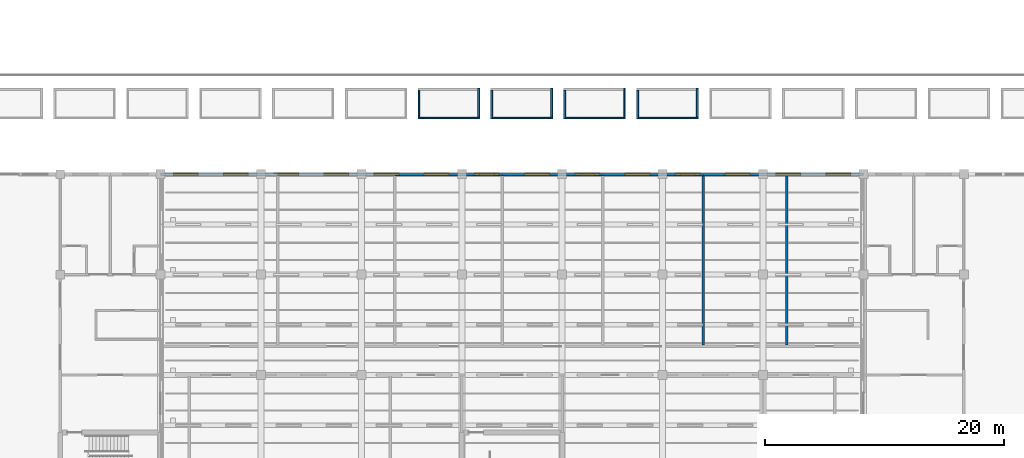
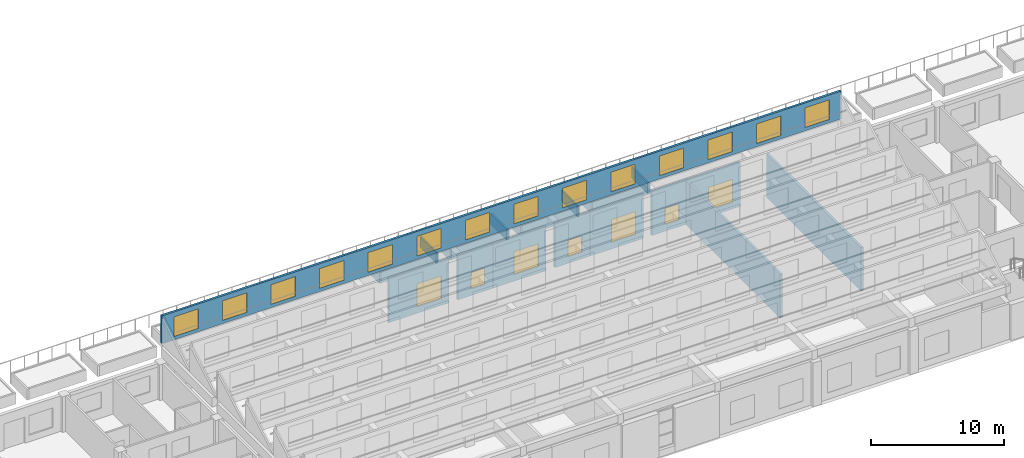
# One storey, part 37 of 61: 22 walls, 21 windows, 21 openings.
"""IFC4 building model written with IfcOpenShell, lengths in metres."""

from ifc_helpers import new_model, si_unit, direction, frame, frame_2d, origin, place, context, subcontext, project, spatial, rectangle, extrude, material, layer, layer_set, type_object, element, fill, save


model = new_model("IFC4")

# Units and contexts
model_context = context("Model", 3, precision=1e-05, world=origin(), true_north=direction((0.0, 1.0)))
body_context = subcontext(model_context, "Body", "Model", "MODEL_VIEW")
ifc_project = project(units=[si_unit("LENGTHUNIT", "METRE"), si_unit("AREAUNIT", "SQUARE_METRE"), si_unit("VOLUMEUNIT", "CUBIC_METRE"), si_unit("PLANEANGLEUNIT", "RADIAN"), si_unit("MASSUNIT", "GRAM", prefix="KILO")], contexts=[model_context])

# Site, building, storey
site_placement = place(None, origin())
site = spatial("IfcSite", under=ifc_project, at=site_placement, CompositionType="ELEMENT")
building_placement = place(site_placement, origin())
building = spatial("IfcBuilding", under=site, at=building_placement, Name="Yavir Park General Hospital", CompositionType="ELEMENT")
storey_placement = place(building_placement, frame((0.0, 0.0, 15.300048828125)))
storey = spatial("IfcBuildingStorey", under=building, at=storey_placement, Name="L03", CompositionType="ELEMENT", Elevation=15.300048828125)

# Walls
ifc_material_1 = material(Name="Double gypsum board fire partition on steel studs", Category="steel")
ifc_layer_1 = layer(ifc_material_1, 0.199951171875)
ifc_layer_set_1 = layer_set([ifc_layer_1], Name="Double gypsum board fire partition on steel studs")
wall_type_1 = type_object("IfcWallType", Name="Fire-rated partition 200, EI 60", PredefinedType="PARTITIONING", material=ifc_layer_set_1)
for number, where, z_axis, x_axis, name in (
    (1, (87.39990234375, 10.89990234375, 0.0), (0.0, 0.0, 1.0), (0.0, 1.0, 0.0), "FP20 L03-239"),
    (2, (94.39990234375, 10.89990234375, 0.0), (0.0, 0.0, 1.0), (0.0, 1.0, 0.0), "FP20 L03-241"),
):
    element("IfcWall", number, at=place(storey_placement, frame(where, z_axis=z_axis, x_axis=x_axis)), inside=storey, type_object=wall_type_1, Name=name, PredefinedType="PARTITIONING", context=body_context, shape_type="SweptSolid", body=[
        extrude(rectangle(XDim=14.150146484375, YDim=0.199951171875, at=frame_2d((7.0751953125, 0.0))), origin(), (0.0, 0.0, 1.0), 4.0),
    ])

# Wall, opening, window
ifc_material_2 = material(Name="Insulated sheet steel panels on a Steel S355 subframe", Category="steel")
ifc_layer_2 = layer(ifc_material_2, 0.22509765625)
ifc_layer_set_2 = layer_set([ifc_layer_2], Name="Insulated sheet steel panels on a Steel S355 subframe")
wall_type_2 = type_object("IfcWallType", Name="Louvred plant wall 225, E 30", PredefinedType="SOLIDWALL", material=ifc_layer_set_2)
wall_1_placement = place(storey_placement, frame((61.60009765625, 25.16259765625, 0.0), z_axis=(0.0, 0.0, 1.0), x_axis=(1.0, 0.0, 0.0)))
wall_1 = element("IfcWall", 3, at=wall_1_placement, inside=storey, type_object=wall_type_2, Name="XW4 L03-052", PredefinedType="SOLIDWALL", context=body_context, shape_type="SweptSolid", body=[
    extrude(rectangle(XDim=5.224853515625, YDim=0.22509765625, at=frame_2d((2.6123046875, 0.0))), origin(), (0.0, 0.0, 1.0), 4.0),
])
opening_1_placement = place(wall_1_placement, frame((2.449951171875, 0.0, 0.60009765625)))
opening_1 = element("IfcOpeningElement", 4, at=opening_1_placement, cuts=wall_1, Name="Opening LV2", PredefinedType="OPENING", context=body_context, shape_type="SweptSolid", body=[
    extrude(rectangle(XDim=2.10009765625, YDim=2.10009765625, at=frame_2d((1.050048828125, 1.050048828125))), frame((0.0, 0.12255859375, 0.0), z_axis=(0.0, -1.0, 0.0), x_axis=(1.0, 0.0, 0.0)), (0.0, 0.0, 1.0), 0.2451171875),
])
ifc_material_3 = material(Name="Anodised aluminium louvre blades in a deep frame", Category="aluminium")
window_type_1 = type_object("IfcWindowType", Name="Tall plant louvre 2100 x 2100", PartitioningType="SINGLE_PANEL", PredefinedType="WINDOW", material=ifc_material_3)
window_1_placement = place(opening_1_placement, origin())
window_1 = element("IfcWindow", 5, at=window_1_placement, inside=storey, type_object=window_type_1, Name="LV2 L03-027", OverallHeight=2.10009765625, OverallWidth=2.10009765625, PartitioningType="SINGLE_PANEL", PredefinedType="WINDOW", context=body_context, shape_type="SweptSolid", body=[
    extrude(rectangle(XDim=2.10009765625, YDim=2.10009765625, at=frame_2d((1.050048828125, 1.050048828125))), frame((0.0, 0.074951171875, 0.0), z_axis=(0.0, -1.0, 0.0), x_axis=(1.0, 0.0, 0.0)), (0.0, 0.0, 1.0), 0.14990234375),
])
fill(opening_1, window_1)

wall_2_placement = place(storey_placement, frame((67.574951171875, 25.16259765625, 0.0), z_axis=(0.0, 0.0, 1.0), x_axis=(1.0, 0.0, 0.0)))
wall_2 = element("IfcWall", 6, at=wall_2_placement, inside=storey, type_object=wall_type_2, Name="XW4 L03-053", PredefinedType="SOLIDWALL", context=body_context, shape_type="SweptSolid", body=[
    extrude(rectangle(XDim=3.025146484375, YDim=0.22509765625, at=frame_2d((1.5126953125, 0.0))), origin(), (0.0, 0.0, 1.0), 4.0),
])
opening_2_placement = place(wall_2_placement, frame((1.125, 0.0, 0.60009765625)))
opening_2 = element("IfcOpeningElement", 7, at=opening_2_placement, cuts=wall_2, Name="Opening LV4", PredefinedType="OPENING", context=body_context, shape_type="SweptSolid", body=[
    extrude(rectangle(XDim=1.199951171875, YDim=1.5, at=frame_2d((0.60009765625, 0.75))), frame((0.0, 0.12255859375, 0.0), z_axis=(0.0, -1.0, 0.0), x_axis=(1.0, 0.0, 0.0)), (0.0, 0.0, 1.0), 0.2451171875),
])
ifc_material_4 = material(Name="Anodised aluminium louvre blades in a deep frame", Category="aluminium")
window_type_2 = type_object("IfcWindowType", Name="Small plant louvre 1200 x 1500", PartitioningType="SINGLE_PANEL", PredefinedType="WINDOW", material=ifc_material_4)
window_2_placement = place(opening_2_placement, origin())
window_2 = element("IfcWindow", 8, at=window_2_placement, inside=storey, type_object=window_type_2, Name="LV4 L03-028", OverallHeight=1.5, OverallWidth=1.199951171875, PartitioningType="SINGLE_PANEL", PredefinedType="WINDOW", context=body_context, shape_type="SweptSolid", body=[
    extrude(rectangle(XDim=1.199951171875, YDim=1.5, at=frame_2d((0.60009765625, 0.75))), frame((0.0, 0.074951171875, 0.0), z_axis=(0.0, -1.0, 0.0), x_axis=(1.0, 0.0, 0.0)), (0.0, 0.0, 1.0), 0.14990234375),
])
fill(opening_2, window_2)

wall_3_placement = place(storey_placement, frame((70.60009765625, 25.16259765625, 0.0), z_axis=(0.0, 0.0, 1.0), x_axis=(1.0, 0.0, 0.0)))
wall_3 = element("IfcWall", 9, at=wall_3_placement, inside=storey, type_object=wall_type_2, Name="XW4 L03-054", PredefinedType="SOLIDWALL", context=body_context, shape_type="SweptSolid", body=[
    extrude(rectangle(XDim=4.625, YDim=0.22509765625, at=frame_2d((2.3125, 0.0))), origin(), (0.0, 0.0, 1.0), 4.0),
])
opening_3_placement = place(wall_3_placement, frame((1.85009765625, 0.0, 0.60009765625)))
opening_3 = element("IfcOpeningElement", 10, at=opening_3_placement, cuts=wall_3, Name="Opening LV2", PredefinedType="OPENING", context=body_context, shape_type="SweptSolid", body=[
    extrude(rectangle(XDim=2.10009765625, YDim=2.10009765625, at=frame_2d((1.050048828125, 1.050048828125))), frame((0.0, 0.12255859375, 0.0), z_axis=(0.0, -1.0, 0.0), x_axis=(1.0, 0.0, 0.0)), (0.0, 0.0, 1.0), 0.2451171875),
])
window_3_placement = place(opening_3_placement, origin())
window_3 = element("IfcWindow", 11, at=window_3_placement, inside=storey, type_object=window_type_1, Name="LV2 L03-029", OverallHeight=2.10009765625, OverallWidth=2.10009765625, PartitioningType="SINGLE_PANEL", PredefinedType="WINDOW", context=body_context, shape_type="SweptSolid", body=[
    extrude(rectangle(XDim=2.10009765625, YDim=2.10009765625, at=frame_2d((1.050048828125, 1.050048828125))), frame((0.0, 0.074951171875, 0.0), z_axis=(0.0, -1.0, 0.0), x_axis=(1.0, 0.0, 0.0)), (0.0, 0.0, 1.0), 0.14990234375),
])
fill(opening_3, window_3)

wall_4_placement = place(storey_placement, frame((75.97509765625, 25.16259765625, 0.0), z_axis=(0.0, 0.0, 1.0), x_axis=(1.0, 0.0, 0.0)))
wall_4 = element("IfcWall", 12, at=wall_4_placement, inside=storey, type_object=wall_type_2, Name="XW4 L03-055", PredefinedType="SOLIDWALL", context=body_context, shape_type="SweptSolid", body=[
    extrude(rectangle(XDim=3.02490234375, YDim=0.22509765625, at=frame_2d((1.512451171875, 0.0))), origin(), (0.0, 0.0, 1.0), 4.0),
])
opening_4_placement = place(wall_4_placement, frame((1.125, 0.0, 0.60009765625)))
opening_4 = element("IfcOpeningElement", 13, at=opening_4_placement, cuts=wall_4, Name="Opening LV4", PredefinedType="OPENING", context=body_context, shape_type="SweptSolid", body=[
    extrude(rectangle(XDim=1.199951171875, YDim=1.5, at=frame_2d((0.60009765625, 0.75))), frame((0.0, 0.12255859375, 0.0), z_axis=(0.0, -1.0, 0.0), x_axis=(1.0, 0.0, 0.0)), (0.0, 0.0, 1.0), 0.2451171875),
])
window_4_placement = place(opening_4_placement, origin())
window_4 = element("IfcWindow", 14, at=window_4_placement, inside=storey, type_object=window_type_2, Name="LV4 L03-030", OverallHeight=1.5, OverallWidth=1.199951171875, PartitioningType="SINGLE_PANEL", PredefinedType="WINDOW", context=body_context, shape_type="SweptSolid", body=[
    extrude(rectangle(XDim=1.199951171875, YDim=1.5, at=frame_2d((0.60009765625, 0.75))), frame((0.0, 0.074951171875, 0.0), z_axis=(0.0, -1.0, 0.0), x_axis=(1.0, 0.0, 0.0)), (0.0, 0.0, 1.0), 0.14990234375),
])
fill(opening_4, window_4)

wall_5_placement = place(storey_placement, frame((79.0, 25.16259765625, 0.0), z_axis=(0.0, 0.0, 1.0), x_axis=(1.0, 0.0, 0.0)))
wall_5 = element("IfcWall", 15, at=wall_5_placement, inside=storey, type_object=wall_type_2, Name="XW4 L03-056", PredefinedType="SOLIDWALL", context=body_context, shape_type="SweptSolid", body=[
    extrude(rectangle(XDim=4.625, YDim=0.22509765625, at=frame_2d((2.3125, 0.0))), origin(), (0.0, 0.0, 1.0), 4.0),
])
opening_5_placement = place(wall_5_placement, frame((1.85009765625, 0.0, 0.60009765625)))
opening_5 = element("IfcOpeningElement", 16, at=opening_5_placement, cuts=wall_5, Name="Opening LV2", PredefinedType="OPENING", context=body_context, shape_type="SweptSolid", body=[
    extrude(rectangle(XDim=2.10009765625, YDim=2.10009765625, at=frame_2d((1.050048828125, 1.050048828125))), frame((0.0, 0.12255859375, 0.0), z_axis=(0.0, -1.0, 0.0), x_axis=(1.0, 0.0, 0.0)), (0.0, 0.0, 1.0), 0.2451171875),
])
window_5_placement = place(opening_5_placement, origin())
window_5 = element("IfcWindow", 17, at=window_5_placement, inside=storey, type_object=window_type_1, Name="LV2 L03-031", OverallHeight=2.10009765625, OverallWidth=2.10009765625, PartitioningType="SINGLE_PANEL", PredefinedType="WINDOW", context=body_context, shape_type="SweptSolid", body=[
    extrude(rectangle(XDim=2.10009765625, YDim=2.10009765625, at=frame_2d((1.050048828125, 1.050048828125))), frame((0.0, 0.074951171875, 0.0), z_axis=(0.0, -1.0, 0.0), x_axis=(1.0, 0.0, 0.0)), (0.0, 0.0, 1.0), 0.14990234375),
])
fill(opening_5, window_5)

wall_6_placement = place(storey_placement, frame((84.375, 25.16259765625, 0.0), z_axis=(0.0, 0.0, 1.0), x_axis=(1.0, 0.0, 0.0)))
wall_6 = element("IfcWall", 18, at=wall_6_placement, inside=storey, type_object=wall_type_2, Name="XW4 L03-057", PredefinedType="SOLIDWALL", context=body_context, shape_type="SweptSolid", body=[
    extrude(rectangle(XDim=3.02490234375, YDim=0.22509765625, at=frame_2d((1.512451171875, 0.0))), origin(), (0.0, 0.0, 1.0), 4.0),
])
opening_6_placement = place(wall_6_placement, frame((1.125, 0.0, 0.60009765625)))
opening_6 = element("IfcOpeningElement", 19, at=opening_6_placement, cuts=wall_6, Name="Opening LV4", PredefinedType="OPENING", context=body_context, shape_type="SweptSolid", body=[
    extrude(rectangle(XDim=1.199951171875, YDim=1.5, at=frame_2d((0.60009765625, 0.75))), frame((0.0, 0.12255859375, 0.0), z_axis=(0.0, -1.0, 0.0), x_axis=(1.0, 0.0, 0.0)), (0.0, 0.0, 1.0), 0.2451171875),
])
window_6_placement = place(opening_6_placement, origin())
window_6 = element("IfcWindow", 20, at=window_6_placement, inside=storey, type_object=window_type_2, Name="LV4 L03-032", OverallHeight=1.5, OverallWidth=1.199951171875, PartitioningType="SINGLE_PANEL", PredefinedType="WINDOW", context=body_context, shape_type="SweptSolid", body=[
    extrude(rectangle(XDim=1.199951171875, YDim=1.5, at=frame_2d((0.60009765625, 0.75))), frame((0.0, 0.074951171875, 0.0), z_axis=(0.0, -1.0, 0.0), x_axis=(1.0, 0.0, 0.0)), (0.0, 0.0, 1.0), 0.14990234375),
])
fill(opening_6, window_6)

wall_7_placement = place(storey_placement, frame((87.39990234375, 25.16259765625, 0.0), z_axis=(0.0, 0.0, 1.0), x_axis=(1.0, 0.0, 0.0)))
wall_7 = element("IfcWall", 21, at=wall_7_placement, inside=storey, type_object=wall_type_2, Name="XW4 L03-058", PredefinedType="SOLIDWALL", context=body_context, shape_type="SweptSolid", body=[
    extrude(rectangle(XDim=4.625, YDim=0.22509765625, at=frame_2d((2.3125, 0.0))), origin(), (0.0, 0.0, 1.0), 4.0),
])
opening_7_placement = place(wall_7_placement, frame((1.85009765625, 0.0, 0.60009765625)))
opening_7 = element("IfcOpeningElement", 22, at=opening_7_placement, cuts=wall_7, Name="Opening LV2", PredefinedType="OPENING", context=body_context, shape_type="SweptSolid", body=[
    extrude(rectangle(XDim=2.10009765625, YDim=2.10009765625, at=frame_2d((1.050048828125, 1.050048828125))), frame((0.0, 0.12255859375, 0.0), z_axis=(0.0, -1.0, 0.0), x_axis=(1.0, 0.0, 0.0)), (0.0, 0.0, 1.0), 0.2451171875),
])
window_7_placement = place(opening_7_placement, origin())
window_7 = element("IfcWindow", 23, at=window_7_placement, inside=storey, type_object=window_type_1, Name="LV2 L03-033", OverallHeight=2.10009765625, OverallWidth=2.10009765625, PartitioningType="SINGLE_PANEL", PredefinedType="WINDOW", context=body_context, shape_type="SweptSolid", body=[
    extrude(rectangle(XDim=2.10009765625, YDim=2.10009765625, at=frame_2d((1.050048828125, 1.050048828125))), frame((0.0, 0.074951171875, 0.0), z_axis=(0.0, -1.0, 0.0), x_axis=(1.0, 0.0, 0.0)), (0.0, 0.0, 1.0), 0.14990234375),
])
fill(opening_7, window_7)

# Walls
ifc_material_5 = material(Name="Concrete C30/37", Category="concrete")
ifc_layer_3 = layer(ifc_material_5, 0.14990234375)
ifc_layer_set_3 = layer_set([ifc_layer_3], Name="Concrete C30/37")
wall_type_3 = type_object("IfcWallType", Name="Planter upstand 150 x 1000", PredefinedType="STANDARD", material=ifc_layer_set_3)
wall_8_placement = place(storey_placement, frame((63.69677734375, 29.89990234375, 0.0), z_axis=(0.0, 0.0, 1.0), x_axis=(1.0, 0.0, 0.0)))
element("IfcWall", 24, at=wall_8_placement, inside=storey, type_object=wall_type_3, Name="Planter upstand 7.1", PredefinedType="STANDARD", context=body_context, shape_type="SweptSolid", body=[
    extrude(rectangle(XDim=5.0, YDim=0.14990234375, at=frame_2d((2.5, 0.0))), origin(), (0.0, 0.0, 1.0), 1.0),
])
wall_9_placement = place(storey_placement, frame((68.62158203125, 29.97509765625, 0.0), z_axis=(0.0, 0.0, 1.0), x_axis=(0.0, 1.0, 0.0)))
element("IfcWall", 25, at=wall_9_placement, inside=storey, type_object=wall_type_3, Name="Planter upstand 7.2", PredefinedType="STANDARD", context=body_context, shape_type="SweptSolid", body=[
    extrude(rectangle(XDim=2.39990234375, YDim=0.14990234375, at=frame_2d((1.199951171875, 0.0))), origin(), (0.0, 0.0, 1.0), 1.0),
])
wall_10_placement = place(storey_placement, frame((63.62158203125, 32.22509765625, 0.0), z_axis=(0.0, 0.0, 1.0), x_axis=(0.0, -1.0, 0.0)))
element("IfcWall", 26, at=wall_10_placement, inside=storey, type_object=wall_type_3, Name="Planter upstand 7.4", PredefinedType="STANDARD", context=body_context, shape_type="SweptSolid", body=[
    extrude(rectangle(XDim=2.400146484375, YDim=0.14990234375, at=frame_2d((1.2001953125, 0.0))), origin(), (0.0, 0.0, 1.0), 1.0),
])
wall_11_placement = place(storey_placement, frame((69.79248046875, 29.89990234375, 0.0), z_axis=(0.0, 0.0, 1.0), x_axis=(1.0, 0.0, 0.0)))
element("IfcWall", 27, at=wall_11_placement, inside=storey, type_object=wall_type_3, Name="Planter upstand 8.1", PredefinedType="STANDARD", context=body_context, shape_type="SweptSolid", body=[
    extrude(rectangle(XDim=5.0, YDim=0.14990234375, at=frame_2d((2.5, 0.0))), origin(), (0.0, 0.0, 1.0), 1.0),
])
wall_12_placement = place(storey_placement, frame((74.71728515625, 29.97509765625, 0.0), z_axis=(0.0, 0.0, 1.0), x_axis=(0.0, 1.0, 0.0)))
element("IfcWall", 28, at=wall_12_placement, inside=storey, type_object=wall_type_3, Name="Planter upstand 8.2", PredefinedType="STANDARD", context=body_context, shape_type="SweptSolid", body=[
    extrude(rectangle(XDim=2.39990234375, YDim=0.14990234375, at=frame_2d((1.199951171875, 0.0))), origin(), (0.0, 0.0, 1.0), 1.0),
])
wall_13_placement = place(storey_placement, frame((69.71728515625, 32.22509765625, 0.0), z_axis=(0.0, 0.0, 1.0), x_axis=(0.0, -1.0, 0.0)))
element("IfcWall", 29, at=wall_13_placement, inside=storey, type_object=wall_type_3, Name="Planter upstand 8.4", PredefinedType="STANDARD", context=body_context, shape_type="SweptSolid", body=[
    extrude(rectangle(XDim=2.400146484375, YDim=0.14990234375, at=frame_2d((1.2001953125, 0.0))), origin(), (0.0, 0.0, 1.0), 1.0),
])
wall_14_placement = place(storey_placement, frame((75.887939453125, 29.89990234375, 0.0), z_axis=(0.0, 0.0, 1.0), x_axis=(1.0, 0.0, 0.0)))
element("IfcWall", 30, at=wall_14_placement, inside=storey, type_object=wall_type_3, Name="Planter upstand 9.1", PredefinedType="STANDARD", context=body_context, shape_type="SweptSolid", body=[
    extrude(rectangle(XDim=5.0, YDim=0.14990234375, at=frame_2d((2.5, 0.0))), origin(), (0.0, 0.0, 1.0), 1.0),
])
wall_15_placement = place(storey_placement, frame((80.81298828125, 29.97509765625, 0.0), z_axis=(0.0, 0.0, 1.0), x_axis=(0.0, 1.0, 0.0)))
element("IfcWall", 31, at=wall_15_placement, inside=storey, type_object=wall_type_3, Name="Planter upstand 9.2", PredefinedType="STANDARD", context=body_context, shape_type="SweptSolid", body=[
    extrude(rectangle(XDim=2.39990234375, YDim=0.14990234375, at=frame_2d((1.199951171875, 0.0))), origin(), (0.0, 0.0, 1.0), 1.0),
])
wall_16_placement = place(storey_placement, frame((75.81298828125, 32.22509765625, 0.0), z_axis=(0.0, 0.0, 1.0), x_axis=(0.0, -1.0, 0.0)))
element("IfcWall", 32, at=wall_16_placement, inside=storey, type_object=wall_type_3, Name="Planter upstand 9.4", PredefinedType="STANDARD", context=body_context, shape_type="SweptSolid", body=[
    extrude(rectangle(XDim=2.400146484375, YDim=0.14990234375, at=frame_2d((1.2001953125, 0.0))), origin(), (0.0, 0.0, 1.0), 1.0),
])
wall_17_placement = place(storey_placement, frame((81.983642578125, 29.89990234375, 0.0), z_axis=(0.0, 0.0, 1.0), x_axis=(1.0, 0.0, 0.0)))
element("IfcWall", 33, at=wall_17_placement, inside=storey, type_object=wall_type_3, Name="Planter upstand 10.1", PredefinedType="STANDARD", context=body_context, shape_type="SweptSolid", body=[
    extrude(rectangle(XDim=5.0, YDim=0.14990234375, at=frame_2d((2.5, 0.0))), origin(), (0.0, 0.0, 1.0), 1.0),
])
wall_18_placement = place(storey_placement, frame((86.90869140625, 29.97509765625, 0.0), z_axis=(0.0, 0.0, 1.0), x_axis=(0.0, 1.0, 0.0)))
element("IfcWall", 34, at=wall_18_placement, inside=storey, type_object=wall_type_3, Name="Planter upstand 10.2", PredefinedType="STANDARD", context=body_context, shape_type="SweptSolid", body=[
    extrude(rectangle(XDim=2.39990234375, YDim=0.14990234375, at=frame_2d((1.199951171875, 0.0))), origin(), (0.0, 0.0, 1.0), 1.0),
])
wall_19_placement = place(storey_placement, frame((81.90869140625, 32.22509765625, 0.0), z_axis=(0.0, 0.0, 1.0), x_axis=(0.0, -1.0, 0.0)))
element("IfcWall", 35, at=wall_19_placement, inside=storey, type_object=wall_type_3, Name="Planter upstand 10.4", PredefinedType="STANDARD", context=body_context, shape_type="SweptSolid", body=[
    extrude(rectangle(XDim=2.400146484375, YDim=0.14990234375, at=frame_2d((1.2001953125, 0.0))), origin(), (0.0, 0.0, 1.0), 1.0),
])

# Wall, openings, windows
ifc_material_6 = material(Name="Concrete C30/37 upstand with 80 mm mineral wool insulation", Category="concrete")
ifc_layer_4 = layer(ifc_material_6, 0.199951171875)
ifc_layer_set_4 = layer_set([ifc_layer_4], Name="Concrete C30/37 upstand with 80 mm mineral wool insulation")
wall_type_4 = type_object("IfcWallType", Name="Reinforced concrete louvre upstand wall 200, E 30", PredefinedType="SOLIDWALL", material=ifc_layer_set_4)
wall_20_placement = place(storey_placement, frame((42.0, 25.199951171875, 4.904052734375), z_axis=(0.0, 0.0, 1.0), x_axis=(1.0, 0.0, 0.0)))
wall_20 = element("IfcWall", 36, at=wall_20_placement, inside=storey, type_object=wall_type_4, Name="XW11 L03-S06", PredefinedType="SOLIDWALL", context=body_context, shape_type="SweptSolid", body=[
    extrude(rectangle(XDim=58.800048828125, YDim=0.199951171875, at=frame_2d((29.39990234375, 0.0))), origin(), (0.0, 0.0, 1.0), 2.538818359375),
])
opening_8_placement = place(wall_20_placement, frame((1.050048828125, 0.0, 0.300048828125)))
opening_8 = element("IfcOpeningElement", 37, at=opening_8_placement, cuts=wall_20, Name="Opening LV5", PredefinedType="OPENING", context=body_context, shape_type="SweptSolid", body=[
    extrude(rectangle(XDim=2.10009765625, YDim=1.800048828125, at=frame_2d((1.050048828125, 0.89990234375))), frame((0.0, 0.10986328125, 0.0), z_axis=(0.0, -1.0, 0.0), x_axis=(1.0, 0.0, 0.0)), (0.0, 0.0, 1.0), 0.219970703125),
])
opening_9_placement = place(wall_20_placement, frame((5.25, 0.0, 0.300048828125)))
opening_9 = element("IfcOpeningElement", 38, at=opening_9_placement, cuts=wall_20, Name="Opening LV5", PredefinedType="OPENING", context=body_context, shape_type="SweptSolid", body=[
    extrude(rectangle(XDim=2.10009765625, YDim=1.800048828125, at=frame_2d((1.050048828125, 0.89990234375))), frame((0.0, 0.10986328125, 0.0), z_axis=(0.0, -1.0, 0.0), x_axis=(1.0, 0.0, 0.0)), (0.0, 0.0, 1.0), 0.219970703125),
])
opening_10_placement = place(wall_20_placement, frame((9.449951171875, 0.0, 0.300048828125)))
opening_10 = element("IfcOpeningElement", 39, at=opening_10_placement, cuts=wall_20, Name="Opening LV5", PredefinedType="OPENING", context=body_context, shape_type="SweptSolid", body=[
    extrude(rectangle(XDim=2.10009765625, YDim=1.800048828125, at=frame_2d((1.050048828125, 0.89990234375))), frame((0.0, 0.10986328125, 0.0), z_axis=(0.0, -1.0, 0.0), x_axis=(1.0, 0.0, 0.0)), (0.0, 0.0, 1.0), 0.219970703125),
])
opening_11_placement = place(wall_20_placement, frame((13.64990234375, 0.0, 0.300048828125)))
opening_11 = element("IfcOpeningElement", 40, at=opening_11_placement, cuts=wall_20, Name="Opening LV5", PredefinedType="OPENING", context=body_context, shape_type="SweptSolid", body=[
    extrude(rectangle(XDim=2.10009765625, YDim=1.800048828125, at=frame_2d((1.050048828125, 0.89990234375))), frame((0.0, 0.10986328125, 0.0), z_axis=(0.0, -1.0, 0.0), x_axis=(1.0, 0.0, 0.0)), (0.0, 0.0, 1.0), 0.219970703125),
])
opening_12_placement = place(wall_20_placement, frame((17.85009765625, 0.0, 0.300048828125)))
opening_12 = element("IfcOpeningElement", 41, at=opening_12_placement, cuts=wall_20, Name="Opening LV5", PredefinedType="OPENING", context=body_context, shape_type="SweptSolid", body=[
    extrude(rectangle(XDim=2.10009765625, YDim=1.800048828125, at=frame_2d((1.050048828125, 0.89990234375))), frame((0.0, 0.10986328125, 0.0), z_axis=(0.0, -1.0, 0.0), x_axis=(1.0, 0.0, 0.0)), (0.0, 0.0, 1.0), 0.219970703125),
])
opening_13_placement = place(wall_20_placement, frame((22.050048828125, 0.0, 0.300048828125)))
opening_13 = element("IfcOpeningElement", 42, at=opening_13_placement, cuts=wall_20, Name="Opening LV5", PredefinedType="OPENING", context=body_context, shape_type="SweptSolid", body=[
    extrude(rectangle(XDim=2.10009765625, YDim=1.800048828125, at=frame_2d((1.050048828125, 0.89990234375))), frame((0.0, 0.10986328125, 0.0), z_axis=(0.0, -1.0, 0.0), x_axis=(1.0, 0.0, 0.0)), (0.0, 0.0, 1.0), 0.219970703125),
])
opening_14_placement = place(wall_20_placement, frame((26.25, 0.0, 0.300048828125)))
opening_14 = element("IfcOpeningElement", 43, at=opening_14_placement, cuts=wall_20, Name="Opening LV5", PredefinedType="OPENING", context=body_context, shape_type="SweptSolid", body=[
    extrude(rectangle(XDim=2.10009765625, YDim=1.800048828125, at=frame_2d((1.050048828125, 0.89990234375))), frame((0.0, 0.10986328125, 0.0), z_axis=(0.0, -1.0, 0.0), x_axis=(1.0, 0.0, 0.0)), (0.0, 0.0, 1.0), 0.219970703125),
])
opening_15_placement = place(wall_20_placement, frame((30.449951171875, 0.0, 0.300048828125)))
opening_15 = element("IfcOpeningElement", 44, at=opening_15_placement, cuts=wall_20, Name="Opening LV5", PredefinedType="OPENING", context=body_context, shape_type="SweptSolid", body=[
    extrude(rectangle(XDim=2.10009765625, YDim=1.800048828125, at=frame_2d((1.050048828125, 0.89990234375))), frame((0.0, 0.10986328125, 0.0), z_axis=(0.0, -1.0, 0.0), x_axis=(1.0, 0.0, 0.0)), (0.0, 0.0, 1.0), 0.219970703125),
])
opening_16_placement = place(wall_20_placement, frame((34.64990234375, 0.0, 0.300048828125)))
opening_16 = element("IfcOpeningElement", 45, at=opening_16_placement, cuts=wall_20, Name="Opening LV5", PredefinedType="OPENING", context=body_context, shape_type="SweptSolid", body=[
    extrude(rectangle(XDim=2.10009765625, YDim=1.800048828125, at=frame_2d((1.050048828125, 0.89990234375))), frame((0.0, 0.10986328125, 0.0), z_axis=(0.0, -1.0, 0.0), x_axis=(1.0, 0.0, 0.0)), (0.0, 0.0, 1.0), 0.219970703125),
])
opening_17_placement = place(wall_20_placement, frame((38.85009765625, 0.0, 0.300048828125)))
opening_17 = element("IfcOpeningElement", 46, at=opening_17_placement, cuts=wall_20, Name="Opening LV5", PredefinedType="OPENING", context=body_context, shape_type="SweptSolid", body=[
    extrude(rectangle(XDim=2.10009765625, YDim=1.800048828125, at=frame_2d((1.050048828125, 0.89990234375))), frame((0.0, 0.10986328125, 0.0), z_axis=(0.0, -1.0, 0.0), x_axis=(1.0, 0.0, 0.0)), (0.0, 0.0, 1.0), 0.219970703125),
])
opening_18_placement = place(wall_20_placement, frame((43.050048828125, 0.0, 0.300048828125)))
opening_18 = element("IfcOpeningElement", 47, at=opening_18_placement, cuts=wall_20, Name="Opening LV5", PredefinedType="OPENING", context=body_context, shape_type="SweptSolid", body=[
    extrude(rectangle(XDim=2.10009765625, YDim=1.800048828125, at=frame_2d((1.050048828125, 0.89990234375))), frame((0.0, 0.10986328125, 0.0), z_axis=(0.0, -1.0, 0.0), x_axis=(1.0, 0.0, 0.0)), (0.0, 0.0, 1.0), 0.219970703125),
])
opening_19_placement = place(wall_20_placement, frame((47.25, 0.0, 0.300048828125)))
opening_19 = element("IfcOpeningElement", 48, at=opening_19_placement, cuts=wall_20, Name="Opening LV5", PredefinedType="OPENING", context=body_context, shape_type="SweptSolid", body=[
    extrude(rectangle(XDim=2.10009765625, YDim=1.800048828125, at=frame_2d((1.050048828125, 0.89990234375))), frame((0.0, 0.10986328125, 0.0), z_axis=(0.0, -1.0, 0.0), x_axis=(1.0, 0.0, 0.0)), (0.0, 0.0, 1.0), 0.219970703125),
])
opening_20_placement = place(wall_20_placement, frame((51.449951171875, 0.0, 0.300048828125)))
opening_20 = element("IfcOpeningElement", 49, at=opening_20_placement, cuts=wall_20, Name="Opening LV5", PredefinedType="OPENING", context=body_context, shape_type="SweptSolid", body=[
    extrude(rectangle(XDim=2.10009765625, YDim=1.800048828125, at=frame_2d((1.050048828125, 0.89990234375))), frame((0.0, 0.10986328125, 0.0), z_axis=(0.0, -1.0, 0.0), x_axis=(1.0, 0.0, 0.0)), (0.0, 0.0, 1.0), 0.219970703125),
])
opening_21_placement = place(wall_20_placement, frame((55.64990234375, 0.0, 0.300048828125)))
opening_21 = element("IfcOpeningElement", 50, at=opening_21_placement, cuts=wall_20, Name="Opening LV5", PredefinedType="OPENING", context=body_context, shape_type="SweptSolid", body=[
    extrude(rectangle(XDim=2.10009765625, YDim=1.800048828125, at=frame_2d((1.050048828125, 0.89990234375))), frame((0.0, 0.10986328125, 0.0), z_axis=(0.0, -1.0, 0.0), x_axis=(1.0, 0.0, 0.0)), (0.0, 0.0, 1.0), 0.219970703125),
])
ifc_material_7 = material(Name="Anodised aluminium louvre blades in a deep frame", Category="aluminium")
window_type_3 = type_object("IfcWindowType", Name="Sawtooth louvre 2100 x 1800", PartitioningType="SINGLE_PANEL", PredefinedType="WINDOW", material=ifc_material_7)
window_8_placement = place(opening_8_placement, origin())
window_8 = element("IfcWindow", 51, at=window_8_placement, inside=storey, type_object=window_type_3, Name="LV5 L03-S06-01", OverallHeight=1.800048828125, OverallWidth=2.10009765625, PartitioningType="SINGLE_PANEL", PredefinedType="WINDOW", context=body_context, shape_type="SweptSolid", body=[
    extrude(rectangle(XDim=2.10009765625, YDim=1.800048828125, at=frame_2d((1.050048828125, 0.89990234375))), frame((0.0, 0.074951171875, 0.0), z_axis=(0.0, -1.0, 0.0), x_axis=(1.0, 0.0, 0.0)), (0.0, 0.0, 1.0), 0.14990234375),
])
fill(opening_8, window_8)
window_9_placement = place(opening_9_placement, origin())
window_9 = element("IfcWindow", 52, at=window_9_placement, inside=storey, type_object=window_type_3, Name="LV5 L03-S06-02", OverallHeight=1.800048828125, OverallWidth=2.10009765625, PartitioningType="SINGLE_PANEL", PredefinedType="WINDOW", context=body_context, shape_type="SweptSolid", body=[
    extrude(rectangle(XDim=2.10009765625, YDim=1.800048828125, at=frame_2d((1.050048828125, 0.89990234375))), frame((0.0, 0.074951171875, 0.0), z_axis=(0.0, -1.0, 0.0), x_axis=(1.0, 0.0, 0.0)), (0.0, 0.0, 1.0), 0.14990234375),
])
fill(opening_9, window_9)
window_10_placement = place(opening_10_placement, origin())
window_10 = element("IfcWindow", 53, at=window_10_placement, inside=storey, type_object=window_type_3, Name="LV5 L03-S06-03", OverallHeight=1.800048828125, OverallWidth=2.10009765625, PartitioningType="SINGLE_PANEL", PredefinedType="WINDOW", context=body_context, shape_type="SweptSolid", body=[
    extrude(rectangle(XDim=2.10009765625, YDim=1.800048828125, at=frame_2d((1.050048828125, 0.89990234375))), frame((0.0, 0.074951171875, 0.0), z_axis=(0.0, -1.0, 0.0), x_axis=(1.0, 0.0, 0.0)), (0.0, 0.0, 1.0), 0.14990234375),
])
fill(opening_10, window_10)
window_11_placement = place(opening_11_placement, origin())
window_11 = element("IfcWindow", 54, at=window_11_placement, inside=storey, type_object=window_type_3, Name="LV5 L03-S06-04", OverallHeight=1.800048828125, OverallWidth=2.10009765625, PartitioningType="SINGLE_PANEL", PredefinedType="WINDOW", context=body_context, shape_type="SweptSolid", body=[
    extrude(rectangle(XDim=2.10009765625, YDim=1.800048828125, at=frame_2d((1.050048828125, 0.89990234375))), frame((0.0, 0.074951171875, 0.0), z_axis=(0.0, -1.0, 0.0), x_axis=(1.0, 0.0, 0.0)), (0.0, 0.0, 1.0), 0.14990234375),
])
fill(opening_11, window_11)
window_12_placement = place(opening_12_placement, origin())
window_12 = element("IfcWindow", 55, at=window_12_placement, inside=storey, type_object=window_type_3, Name="LV5 L03-S06-05", OverallHeight=1.800048828125, OverallWidth=2.10009765625, PartitioningType="SINGLE_PANEL", PredefinedType="WINDOW", context=body_context, shape_type="SweptSolid", body=[
    extrude(rectangle(XDim=2.10009765625, YDim=1.800048828125, at=frame_2d((1.050048828125, 0.89990234375))), frame((0.0, 0.074951171875, 0.0), z_axis=(0.0, -1.0, 0.0), x_axis=(1.0, 0.0, 0.0)), (0.0, 0.0, 1.0), 0.14990234375),
])
fill(opening_12, window_12)
window_13_placement = place(opening_13_placement, origin())
window_13 = element("IfcWindow", 56, at=window_13_placement, inside=storey, type_object=window_type_3, Name="LV5 L03-S06-06", OverallHeight=1.800048828125, OverallWidth=2.10009765625, PartitioningType="SINGLE_PANEL", PredefinedType="WINDOW", context=body_context, shape_type="SweptSolid", body=[
    extrude(rectangle(XDim=2.10009765625, YDim=1.800048828125, at=frame_2d((1.050048828125, 0.89990234375))), frame((0.0, 0.074951171875, 0.0), z_axis=(0.0, -1.0, 0.0), x_axis=(1.0, 0.0, 0.0)), (0.0, 0.0, 1.0), 0.14990234375),
])
fill(opening_13, window_13)
window_14_placement = place(opening_14_placement, origin())
window_14 = element("IfcWindow", 57, at=window_14_placement, inside=storey, type_object=window_type_3, Name="LV5 L03-S06-07", OverallHeight=1.800048828125, OverallWidth=2.10009765625, PartitioningType="SINGLE_PANEL", PredefinedType="WINDOW", context=body_context, shape_type="SweptSolid", body=[
    extrude(rectangle(XDim=2.10009765625, YDim=1.800048828125, at=frame_2d((1.050048828125, 0.89990234375))), frame((0.0, 0.074951171875, 0.0), z_axis=(0.0, -1.0, 0.0), x_axis=(1.0, 0.0, 0.0)), (0.0, 0.0, 1.0), 0.14990234375),
])
fill(opening_14, window_14)
window_15_placement = place(opening_15_placement, origin())
window_15 = element("IfcWindow", 58, at=window_15_placement, inside=storey, type_object=window_type_3, Name="LV5 L03-S06-08", OverallHeight=1.800048828125, OverallWidth=2.10009765625, PartitioningType="SINGLE_PANEL", PredefinedType="WINDOW", context=body_context, shape_type="SweptSolid", body=[
    extrude(rectangle(XDim=2.10009765625, YDim=1.800048828125, at=frame_2d((1.050048828125, 0.89990234375))), frame((0.0, 0.074951171875, 0.0), z_axis=(0.0, -1.0, 0.0), x_axis=(1.0, 0.0, 0.0)), (0.0, 0.0, 1.0), 0.14990234375),
])
fill(opening_15, window_15)
window_16_placement = place(opening_16_placement, origin())
window_16 = element("IfcWindow", 59, at=window_16_placement, inside=storey, type_object=window_type_3, Name="LV5 L03-S06-09", OverallHeight=1.800048828125, OverallWidth=2.10009765625, PartitioningType="SINGLE_PANEL", PredefinedType="WINDOW", context=body_context, shape_type="SweptSolid", body=[
    extrude(rectangle(XDim=2.10009765625, YDim=1.800048828125, at=frame_2d((1.050048828125, 0.89990234375))), frame((0.0, 0.074951171875, 0.0), z_axis=(0.0, -1.0, 0.0), x_axis=(1.0, 0.0, 0.0)), (0.0, 0.0, 1.0), 0.14990234375),
])
fill(opening_16, window_16)
window_17_placement = place(opening_17_placement, origin())
window_17 = element("IfcWindow", 60, at=window_17_placement, inside=storey, type_object=window_type_3, Name="LV5 L03-S06-10", OverallHeight=1.800048828125, OverallWidth=2.10009765625, PartitioningType="SINGLE_PANEL", PredefinedType="WINDOW", context=body_context, shape_type="SweptSolid", body=[
    extrude(rectangle(XDim=2.10009765625, YDim=1.800048828125, at=frame_2d((1.050048828125, 0.89990234375))), frame((0.0, 0.074951171875, 0.0), z_axis=(0.0, -1.0, 0.0), x_axis=(1.0, 0.0, 0.0)), (0.0, 0.0, 1.0), 0.14990234375),
])
fill(opening_17, window_17)
window_18_placement = place(opening_18_placement, origin())
window_18 = element("IfcWindow", 61, at=window_18_placement, inside=storey, type_object=window_type_3, Name="LV5 L03-S06-11", OverallHeight=1.800048828125, OverallWidth=2.10009765625, PartitioningType="SINGLE_PANEL", PredefinedType="WINDOW", context=body_context, shape_type="SweptSolid", body=[
    extrude(rectangle(XDim=2.10009765625, YDim=1.800048828125, at=frame_2d((1.050048828125, 0.89990234375))), frame((0.0, 0.074951171875, 0.0), z_axis=(0.0, -1.0, 0.0), x_axis=(1.0, 0.0, 0.0)), (0.0, 0.0, 1.0), 0.14990234375),
])
fill(opening_18, window_18)
window_19_placement = place(opening_19_placement, origin())
window_19 = element("IfcWindow", 62, at=window_19_placement, inside=storey, type_object=window_type_3, Name="LV5 L03-S06-12", OverallHeight=1.800048828125, OverallWidth=2.10009765625, PartitioningType="SINGLE_PANEL", PredefinedType="WINDOW", context=body_context, shape_type="SweptSolid", body=[
    extrude(rectangle(XDim=2.10009765625, YDim=1.800048828125, at=frame_2d((1.050048828125, 0.89990234375))), frame((0.0, 0.074951171875, 0.0), z_axis=(0.0, -1.0, 0.0), x_axis=(1.0, 0.0, 0.0)), (0.0, 0.0, 1.0), 0.14990234375),
])
fill(opening_19, window_19)
window_20_placement = place(opening_20_placement, origin())
window_20 = element("IfcWindow", 63, at=window_20_placement, inside=storey, type_object=window_type_3, Name="LV5 L03-S06-13", OverallHeight=1.800048828125, OverallWidth=2.10009765625, PartitioningType="SINGLE_PANEL", PredefinedType="WINDOW", context=body_context, shape_type="SweptSolid", body=[
    extrude(rectangle(XDim=2.10009765625, YDim=1.800048828125, at=frame_2d((1.050048828125, 0.89990234375))), frame((0.0, 0.074951171875, 0.0), z_axis=(0.0, -1.0, 0.0), x_axis=(1.0, 0.0, 0.0)), (0.0, 0.0, 1.0), 0.14990234375),
])
fill(opening_20, window_20)
window_21_placement = place(opening_21_placement, origin())
window_21 = element("IfcWindow", 64, at=window_21_placement, inside=storey, type_object=window_type_3, Name="LV5 L03-S06-14", OverallHeight=1.800048828125, OverallWidth=2.10009765625, PartitioningType="SINGLE_PANEL", PredefinedType="WINDOW", context=body_context, shape_type="SweptSolid", body=[
    extrude(rectangle(XDim=2.10009765625, YDim=1.800048828125, at=frame_2d((1.050048828125, 0.89990234375))), frame((0.0, 0.074951171875, 0.0), z_axis=(0.0, -1.0, 0.0), x_axis=(1.0, 0.0, 0.0)), (0.0, 0.0, 1.0), 0.14990234375),
])
fill(opening_21, window_21)

save(model, "model.ifc")
